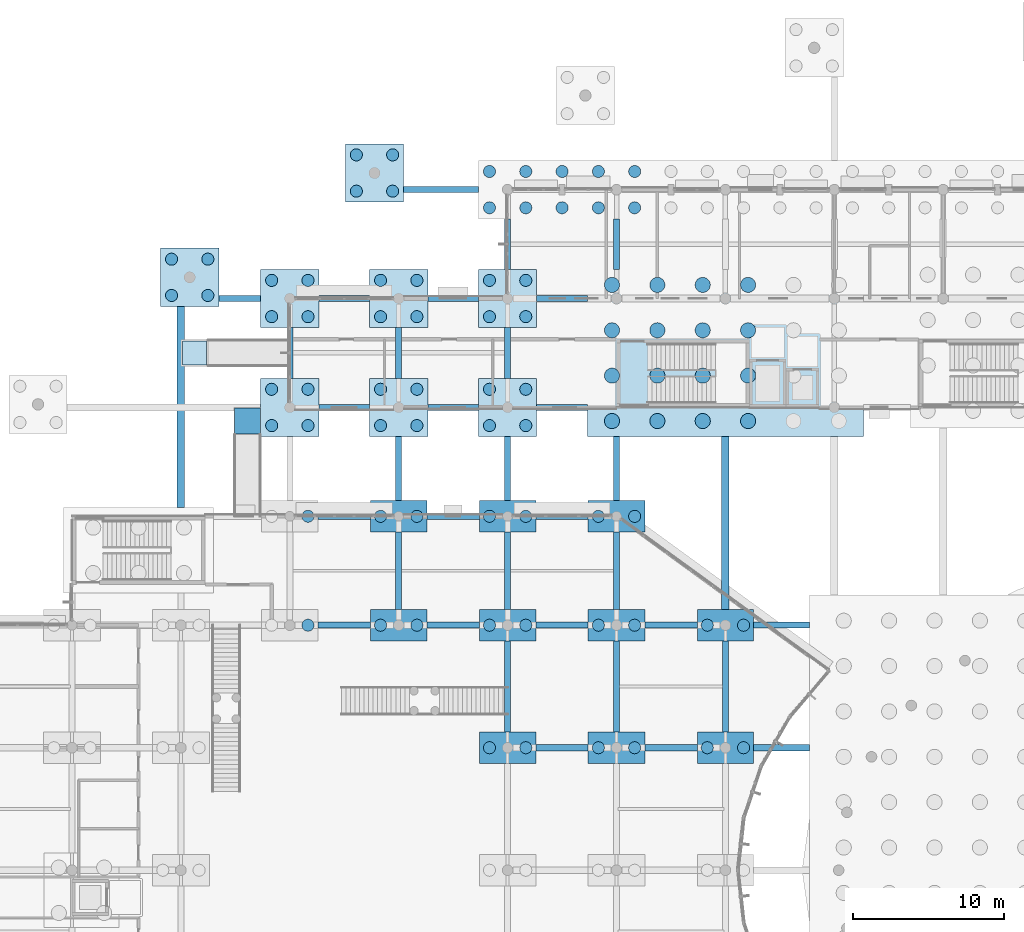
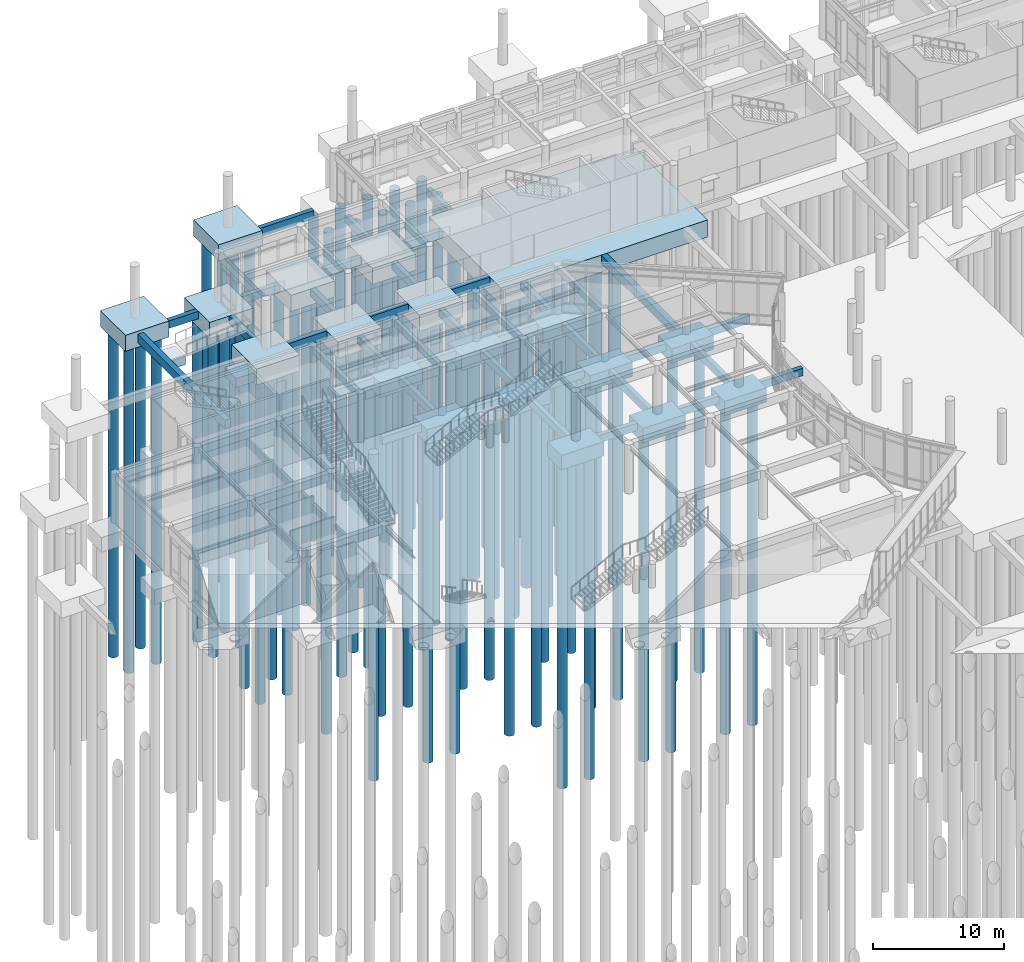
# One storey, part 5 of 103: 80 piles, 56 footings.
"""IFC4 building model written with IfcOpenShell, lengths in metres."""

from ifc_helpers import new_model, si_unit, direction, frame, origin, origin_2d, place, context, subcontext, project, spatial, rectangle, circle, extrude, material, layer, layer_set, material_profile, profile_set, type_object, element, save


model = new_model("IFC4")

# Units and contexts
model_context = context("Model", 3, precision=1e-05, world=origin(), true_north=direction((0.0, 1.0)))
body_context = subcontext(model_context, "Body", "Model", "MODEL_VIEW")
ifc_project = project(units=[si_unit("LENGTHUNIT", "METRE"), si_unit("AREAUNIT", "SQUARE_METRE"), si_unit("VOLUMEUNIT", "CUBIC_METRE"), si_unit("PLANEANGLEUNIT", "RADIAN"), si_unit("MASSUNIT", "GRAM", prefix="KILO")], contexts=[model_context])

# Site, building, storey
site_placement = place(None, origin())
site = spatial("IfcSite", under=ifc_project, at=site_placement, CompositionType="ELEMENT")
building_placement = place(site_placement, origin())
building = spatial("IfcBuilding", under=site, at=building_placement, Name="Namkhue Oval Health Centre", CompositionType="ELEMENT")
storey_placement = place(building_placement, origin())
storey = spatial("IfcBuildingStorey", under=building, at=storey_placement, Name="L00", CompositionType="ELEMENT", Elevation=0.0)

# Footings
ifc_material_1 = material(Name="Reinforced concrete C30/37 (TCVN B35)", Category="concrete")
ifc_layer_1 = layer(ifc_material_1, 1.60009765625)
ifc_layer_set_1 = layer_set([ifc_layer_1], Name="Reinforced concrete C30/37 (TCVN B35)")
footing_type_1 = type_object("IfcFootingType", Name="BORED PILE CAP 18250X11050X1600", PredefinedType="PILE_CAP", material=ifc_layer_set_1)
footing_1_placement = place(storey_placement, frame((64.800048828125, 93.60009765625, -1.860107421875), z_axis=(0.0, 0.0, 1.0), x_axis=(1.0, 0.0, 0.0)))
element("IfcFooting", 1, at=footing_1_placement, inside=storey, type_object=footing_type_1, Name="Reinforced Concrete Pile Cap 109", PredefinedType="PILE_CAP", context=body_context, shape_type="SweptSolid", body=[
    extrude(rectangle(XDim=18.25, YDim=11.050048828125, at=origin_2d()), origin(), (0.0, 0.0, 1.0), 1.60009765625),
])
ifc_layer_2 = layer(ifc_material_1, 1.35009765625)
ifc_layer_set_2 = layer_set([ifc_layer_2], Name="Reinforced concrete C30/37 (TCVN B35)")
footing_type_2 = type_object("IfcFootingType", Name="BORED PILE CAP 3700X2100X1350", PredefinedType="PILE_CAP", material=ifc_layer_set_2)
for number, where, z_axis, x_axis, name in (
    (2, (64.800048828125, 67.5, -1.6201171875), (0.0, 0.0, 1.0), (1.0, 0.0, 0.0), "Reinforced Concrete Pile Cap 79"),
    (3, (64.800048828125, 75.60009765625, -1.6201171875), (0.0, 0.0, 1.0), (1.0, 0.0, 0.0), "Reinforced Concrete Pile Cap 90"),
):
    element("IfcFooting", number, at=place(storey_placement, frame(where, z_axis=z_axis, x_axis=x_axis)), inside=storey, type_object=footing_type_2, Name=name, PredefinedType="PILE_CAP", context=body_context, shape_type="SweptSolid", body=[
        extrude(rectangle(XDim=3.699951171875, YDim=2.10009765625, at=origin_2d()), origin(), (0.0, 0.0, 1.0), 1.35009765625),
    ])
ifc_layer_3 = layer(ifc_material_1, 1.35009765625)
ifc_layer_set_3 = layer_set([ifc_layer_3], Name="Reinforced concrete C30/37 (TCVN B35)")
footing_type_3 = type_object("IfcFootingType", Name="BORED PILE CAP 3750X2100X1350", PredefinedType="PILE_CAP", material=ifc_layer_set_3)
for number, where, z_axis, x_axis, name in (
    (4, (50.39990234375, 67.5, -1.6201171875), (0.0, 0.0, 1.0), (1.0, 0.0, 0.0), "Reinforced Concrete Pile Cap 77"),
    (5, (57.60009765625, 67.5, -1.6201171875), (0.0, 0.0, 1.0), (1.0, 0.0, 0.0), "Reinforced Concrete Pile Cap 78"),
    (6, (43.199951171875, 75.60009765625, -1.6201171875), (0.0, 0.0, 1.0), (1.0, 0.0, 0.0), "Reinforced Concrete Pile Cap 87"),
    (7, (50.39990234375, 75.60009765625, -1.6201171875), (0.0, 0.0, 1.0), (1.0, 0.0, 0.0), "Reinforced Concrete Pile Cap 88"),
    (8, (57.60009765625, 75.60009765625, -1.6201171875), (0.0, 0.0, 1.0), (1.0, 0.0, 0.0), "Reinforced Concrete Pile Cap 89"),
    (9, (43.199951171875, 82.800048828125, -1.6201171875), (0.0, 0.0, 1.0), (1.0, 0.0, 0.0), "Reinforced Concrete Pile Cap 103"),
    (10, (50.39990234375, 82.800048828125, -1.6201171875), (0.0, 0.0, 1.0), (1.0, 0.0, 0.0), "Reinforced Concrete Pile Cap 104"),
    (11, (57.60009765625, 82.800048828125, -1.6201171875), (0.0, 0.0, 1.0), (1.0, 0.0, 0.0), "Reinforced Concrete Pile Cap 105"),
):
    element("IfcFooting", number, at=place(storey_placement, frame(where, z_axis=z_axis, x_axis=x_axis)), inside=storey, type_object=footing_type_3, Name=name, PredefinedType="PILE_CAP", context=body_context, shape_type="SweptSolid", body=[
        extrude(rectangle(XDim=3.75, YDim=2.10009765625, at=origin_2d()), origin(), (0.0, 0.0, 1.0), 1.35009765625),
    ])
ifc_layer_4 = layer(ifc_material_1, 1.5)
ifc_layer_set_4 = layer_set([ifc_layer_4], Name="Reinforced concrete C30/37 (TCVN B35)")
footing_type_4 = type_object("IfcFootingType", Name="BORED PILE CAP 3850X3850X1500", PredefinedType="PILE_CAP", material=ifc_layer_set_4)
for number, where, z_axis, x_axis, name in (
    (12, (36.0, 90.0, -1.760009765625), (0.0, 0.0, 1.0), (1.0, 0.0, 0.0), "Reinforced Concrete Pile Cap 106"),
    (13, (43.199951171875, 90.0, -1.760009765625), (0.0, 0.0, 1.0), (1.0, 0.0, 0.0), "Reinforced Concrete Pile Cap 107"),
    (14, (50.39990234375, 90.0, -1.760009765625), (0.0, 0.0, 1.0), (1.0, 0.0, 0.0), "Reinforced Concrete Pile Cap 108"),
    (15, (36.0, 97.199951171875, -1.760009765625), (0.0, 0.0, 1.0), (1.0, 0.0, 0.0), "Reinforced Concrete Pile Cap 117"),
    (16, (43.199951171875, 97.199951171875, -1.760009765625), (0.0, 0.0, 1.0), (1.0, 0.0, 0.0), "Reinforced Concrete Pile Cap 118"),
    (17, (50.39990234375, 97.199951171875, -1.760009765625), (0.0, 0.0, 1.0), (1.0, 0.0, 0.0), "Reinforced Concrete Pile Cap 119"),
    (18, (29.37890625, 98.60205078125, -1.5), (0.0, 0.0, 1.0), (1.0, 0.0, 0.0), "Reinforced Concrete Pile Cap 122"),
    (19, (41.598876953125, 105.49658203125, -1.5), (0.0, 0.0, 1.0), (1.0, 0.0, 0.0), "Reinforced Concrete Pile Cap 126"),
):
    element("IfcFooting", number, at=place(storey_placement, frame(where, z_axis=z_axis, x_axis=x_axis)), inside=storey, type_object=footing_type_4, Name=name, PredefinedType="PILE_CAP", context=body_context, shape_type="SweptSolid", body=[
        extrude(rectangle(XDim=3.85009765625, YDim=3.85009765625, at=origin_2d()), origin(), (0.0, 0.0, 1.0), 1.5),
    ])
footing_type_5 = type_object("IfcFootingType", Name="FOUNDATION GROUND BEAM 400X700", PredefinedType="FOOTING_BEAM", material=ifc_material_1)
footing_2_placement = place(storey_placement, frame((54.0, 67.5, -0.97021484375), z_axis=(0.0, 0.0, 1.0), x_axis=(1.0, 0.0, 0.0)))
element("IfcFooting", 20, at=footing_2_placement, inside=storey, type_object=footing_type_5, Name="Foundation Ground Tie Beam X-58", PredefinedType="FOOTING_BEAM", context=body_context, shape_type="SweptSolid", body=[
    extrude(rectangle(XDim=3.449951171875, YDim=0.39990234375, at=origin_2d()), origin(), (0.0, 0.0, 1.0), 0.699951171875),
])
footing_3_placement = place(storey_placement, frame((61.21240234375, 67.5, -0.97021484375), z_axis=(0.0, 0.0, 1.0), x_axis=(1.0, 0.0, 0.0)))
element("IfcFooting", 21, at=footing_3_placement, inside=storey, type_object=footing_type_5, Name="Foundation Ground Tie Beam X-59", PredefinedType="FOOTING_BEAM", context=body_context, shape_type="SweptSolid", body=[
    extrude(rectangle(XDim=3.47509765625, YDim=0.39990234375, at=origin_2d()), origin(), (0.0, 0.0, 1.0), 0.699951171875),
])
footing_4_placement = place(storey_placement, frame((68.511962890625, 67.5, -0.97021484375), z_axis=(0.0, 0.0, 1.0), x_axis=(1.0, 0.0, 0.0)))
element("IfcFooting", 22, at=footing_4_placement, inside=storey, type_object=footing_type_5, Name="Foundation Ground Tie Beam X-60", PredefinedType="FOOTING_BEAM", context=body_context, shape_type="SweptSolid", body=[
    extrude(rectangle(XDim=3.723876953125, YDim=0.39990234375, at=origin_2d()), origin(), (0.0, 0.0, 1.0), 0.699951171875),
])
for number, where, z_axis, x_axis, name in (
    (23, (39.60009765625, 75.60009765625, -0.97021484375), (0.0, 0.0, 1.0), (1.0, 0.0, 0.0), "Foundation Ground Tie Beam X-66"),
    (24, (46.800048828125, 75.60009765625, -0.97021484375), (0.0, 0.0, 1.0), (1.0, 0.0, 0.0), "Foundation Ground Tie Beam X-67"),
    (25, (54.0, 75.60009765625, -0.97021484375), (0.0, 0.0, 1.0), (1.0, 0.0, 0.0), "Foundation Ground Tie Beam X-68"),
):
    element("IfcFooting", number, at=place(storey_placement, frame(where, z_axis=z_axis, x_axis=x_axis)), inside=storey, type_object=footing_type_5, Name=name, PredefinedType="FOOTING_BEAM", context=body_context, shape_type="SweptSolid", body=[
        extrude(rectangle(XDim=3.449951171875, YDim=0.39990234375, at=origin_2d()), origin(), (0.0, 0.0, 1.0), 0.699951171875),
    ])
footing_5_placement = place(storey_placement, frame((61.21240234375, 75.60009765625, -0.97021484375), z_axis=(0.0, 0.0, 1.0), x_axis=(1.0, 0.0, 0.0)))
element("IfcFooting", 26, at=footing_5_placement, inside=storey, type_object=footing_type_5, Name="Foundation Ground Tie Beam X-69", PredefinedType="FOOTING_BEAM", context=body_context, shape_type="SweptSolid", body=[
    extrude(rectangle(XDim=3.47509765625, YDim=0.39990234375, at=origin_2d()), origin(), (0.0, 0.0, 1.0), 0.699951171875),
])
footing_6_placement = place(storey_placement, frame((68.511962890625, 75.60009765625, -0.97021484375), z_axis=(0.0, 0.0, 1.0), x_axis=(1.0, 0.0, 0.0)))
element("IfcFooting", 27, at=footing_6_placement, inside=storey, type_object=footing_type_5, Name="Foundation Ground Tie Beam X-70", PredefinedType="FOOTING_BEAM", context=body_context, shape_type="SweptSolid", body=[
    extrude(rectangle(XDim=3.723876953125, YDim=0.39990234375, at=origin_2d()), origin(), (0.0, 0.0, 1.0), 0.699951171875),
])
for number, where, z_axis, x_axis, name in (
    (28, (39.60009765625, 82.800048828125, -0.97021484375), (0.0, 0.0, 1.0), (1.0, 0.0, 0.0), "Foundation Ground Tie Beam X-75"),
    (29, (46.800048828125, 82.800048828125, -0.97021484375), (0.0, 0.0, 1.0), (1.0, 0.0, 0.0), "Foundation Ground Tie Beam X-76"),
    (30, (54.0, 82.800048828125, -0.97021484375), (0.0, 0.0, 1.0), (1.0, 0.0, 0.0), "Foundation Ground Tie Beam X-77"),
):
    element("IfcFooting", number, at=place(storey_placement, frame(where, z_axis=z_axis, x_axis=x_axis)), inside=storey, type_object=footing_type_5, Name=name, PredefinedType="FOOTING_BEAM", context=body_context, shape_type="SweptSolid", body=[
        extrude(rectangle(XDim=3.449951171875, YDim=0.39990234375, at=origin_2d()), origin(), (0.0, 0.0, 1.0), 0.699951171875),
    ])
for number, where, z_axis, x_axis, name in (
    (31, (39.60009765625, 90.0, -0.9599609375), (0.0, 0.0, 1.0), (1.0, 0.0, 0.0), "Foundation Ground Tie Beam X-79"),
    (32, (46.800048828125, 90.0, -0.9599609375), (0.0, 0.0, 1.0), (1.0, 0.0, 0.0), "Foundation Ground Tie Beam X-80"),
    (33, (54.0, 90.0, -0.9599609375), (0.0, 0.0, 1.0), (1.0, 0.0, 0.0), "Foundation Ground Tie Beam X-81"),
):
    element("IfcFooting", number, at=place(storey_placement, frame(where, z_axis=z_axis, x_axis=x_axis)), inside=storey, type_object=footing_type_5, Name=name, PredefinedType="FOOTING_BEAM", context=body_context, shape_type="SweptSolid", body=[
        extrude(rectangle(XDim=3.35009765625, YDim=0.39990234375, at=origin_2d()), origin(), (0.0, 0.0, 1.0), 0.699951171875),
    ])
footing_7_placement = place(storey_placement, frame((32.689453125, 97.199951171875, -0.9599609375), z_axis=(0.0, 0.0, 1.0), x_axis=(1.0, 0.0, 0.0)))
element("IfcFooting", 34, at=footing_7_placement, inside=storey, type_object=footing_type_5, Name="Foundation Ground Tie Beam X-88", PredefinedType="FOOTING_BEAM", context=body_context, shape_type="SweptSolid", body=[
    extrude(rectangle(XDim=2.77099609375, YDim=0.39990234375, at=origin_2d()), origin(), (0.0, 0.0, 1.0), 0.699951171875),
])
for number, where, z_axis, x_axis, name in (
    (35, (39.60009765625, 97.199951171875, -0.9599609375), (0.0, 0.0, 1.0), (1.0, 0.0, 0.0), "Foundation Ground Tie Beam X-89"),
    (36, (46.800048828125, 97.199951171875, -0.9599609375), (0.0, 0.0, 1.0), (1.0, 0.0, 0.0), "Foundation Ground Tie Beam X-90"),
    (37, (54.0, 97.199951171875, -0.9599609375), (0.0, 0.0, 1.0), (1.0, 0.0, 0.0), "Foundation Ground Tie Beam X-91"),
):
    element("IfcFooting", number, at=place(storey_placement, frame(where, z_axis=z_axis, x_axis=x_axis)), inside=storey, type_object=footing_type_5, Name=name, PredefinedType="FOOTING_BEAM", context=body_context, shape_type="SweptSolid", body=[
        extrude(rectangle(XDim=3.35009765625, YDim=0.39990234375, at=origin_2d()), origin(), (0.0, 0.0, 1.0), 0.699951171875),
    ])
footing_8_placement = place(storey_placement, frame((45.99951171875, 104.39990234375, -0.9599609375), z_axis=(0.0, 0.0, 1.0), x_axis=(1.0, 0.0, 0.0)))
element("IfcFooting", 38, at=footing_8_placement, inside=storey, type_object=footing_type_5, Name="Foundation Ground Tie Beam X-98", PredefinedType="FOOTING_BEAM", context=body_context, shape_type="SweptSolid", body=[
    extrude(rectangle(XDim=4.951171875, YDim=0.39990234375, at=origin_2d()), origin(), (0.0, 0.0, 1.0), 0.699951171875),
])
footing_9_placement = place(storey_placement, frame((36.0, 93.60009765625, -0.9599609375), z_axis=(0.0, 0.0, 1.0), x_axis=(0.0, 1.0, 0.0)))
element("IfcFooting", 39, at=footing_9_placement, inside=storey, type_object=footing_type_5, Name="Foundation Ground Tie Beam Y-126", PredefinedType="FOOTING_BEAM", context=body_context, shape_type="SweptSolid", body=[
    extrude(rectangle(XDim=3.35009765625, YDim=0.39990234375, at=origin_2d()), origin(), (0.0, 0.0, 1.0), 0.699951171875),
])
footing_10_placement = place(storey_placement, frame((43.199951171875, 79.199951171875, -0.97021484375), z_axis=(0.0, 0.0, 1.0), x_axis=(0.0, 1.0, 0.0)))
element("IfcFooting", 40, at=footing_10_placement, inside=storey, type_object=footing_type_5, Name="Foundation Ground Tie Beam Y-130", PredefinedType="FOOTING_BEAM", context=body_context, shape_type="SweptSolid", body=[
    extrude(rectangle(XDim=5.10009765625, YDim=0.39990234375, at=origin_2d()), origin(), (0.0, 0.0, 1.0), 0.699951171875),
])
footing_11_placement = place(storey_placement, frame((43.199951171875, 85.96240234375, -0.97021484375), z_axis=(0.0, 0.0, 1.0), x_axis=(0.0, 1.0, 0.0)))
element("IfcFooting", 41, at=footing_11_placement, inside=storey, type_object=footing_type_5, Name="Foundation Ground Tie Beam Y-131", PredefinedType="FOOTING_BEAM", context=body_context, shape_type="SweptSolid", body=[
    extrude(rectangle(XDim=4.22509765625, YDim=0.39990234375, at=origin_2d()), origin(), (0.0, 0.0, 1.0), 0.699951171875),
])
footing_12_placement = place(storey_placement, frame((43.199951171875, 93.60009765625, -0.9599609375), z_axis=(0.0, 0.0, 1.0), x_axis=(0.0, 1.0, 0.0)))
element("IfcFooting", 42, at=footing_12_placement, inside=storey, type_object=footing_type_5, Name="Foundation Ground Tie Beam Y-132", PredefinedType="FOOTING_BEAM", context=body_context, shape_type="SweptSolid", body=[
    extrude(rectangle(XDim=3.35009765625, YDim=0.39990234375, at=origin_2d()), origin(), (0.0, 0.0, 1.0), 0.699951171875),
])
footing_13_placement = place(storey_placement, frame((50.39990234375, 71.550048828125, -0.97021484375), z_axis=(0.0, 0.0, 1.0), x_axis=(0.0, 1.0, 0.0)))
element("IfcFooting", 43, at=footing_13_placement, inside=storey, type_object=footing_type_5, Name="Foundation Ground Tie Beam Y-140", PredefinedType="FOOTING_BEAM", context=body_context, shape_type="SweptSolid", body=[
    extrude(rectangle(XDim=6.0, YDim=0.39990234375, at=origin_2d()), origin(), (0.0, 0.0, 1.0), 0.699951171875),
])
footing_14_placement = place(storey_placement, frame((50.39990234375, 79.199951171875, -0.97021484375), z_axis=(0.0, 0.0, 1.0), x_axis=(0.0, 1.0, 0.0)))
element("IfcFooting", 44, at=footing_14_placement, inside=storey, type_object=footing_type_5, Name="Foundation Ground Tie Beam Y-141", PredefinedType="FOOTING_BEAM", context=body_context, shape_type="SweptSolid", body=[
    extrude(rectangle(XDim=5.10009765625, YDim=0.39990234375, at=origin_2d()), origin(), (0.0, 0.0, 1.0), 0.699951171875),
])
footing_15_placement = place(storey_placement, frame((50.39990234375, 85.96240234375, -0.97021484375), z_axis=(0.0, 0.0, 1.0), x_axis=(0.0, 1.0, 0.0)))
element("IfcFooting", 45, at=footing_15_placement, inside=storey, type_object=footing_type_5, Name="Foundation Ground Tie Beam Y-142", PredefinedType="FOOTING_BEAM", context=body_context, shape_type="SweptSolid", body=[
    extrude(rectangle(XDim=4.22509765625, YDim=0.39990234375, at=origin_2d()), origin(), (0.0, 0.0, 1.0), 0.699951171875),
])
for number, where, z_axis, x_axis, name in (
    (46, (50.39990234375, 93.60009765625, -0.9599609375), (0.0, 0.0, 1.0), (0.0, 1.0, 0.0), "Foundation Ground Tie Beam Y-143"),
    (47, (50.39990234375, 100.800048828125, -0.9599609375), (0.0, 0.0, 1.0), (0.0, 1.0, 0.0), "Foundation Ground Tie Beam Y-144"),
):
    element("IfcFooting", number, at=place(storey_placement, frame(where, z_axis=z_axis, x_axis=x_axis)), inside=storey, type_object=footing_type_5, Name=name, PredefinedType="FOOTING_BEAM", context=body_context, shape_type="SweptSolid", body=[
        extrude(rectangle(XDim=3.35009765625, YDim=0.39990234375, at=origin_2d()), origin(), (0.0, 0.0, 1.0), 0.699951171875),
    ])
footing_16_placement = place(storey_placement, frame((57.60009765625, 71.550048828125, -0.97021484375), z_axis=(0.0, 0.0, 1.0), x_axis=(0.0, 1.0, 0.0)))
element("IfcFooting", 48, at=footing_16_placement, inside=storey, type_object=footing_type_5, Name="Foundation Ground Tie Beam Y-151", PredefinedType="FOOTING_BEAM", context=body_context, shape_type="SweptSolid", body=[
    extrude(rectangle(XDim=6.0, YDim=0.39990234375, at=origin_2d()), origin(), (0.0, 0.0, 1.0), 0.699951171875),
])
footing_17_placement = place(storey_placement, frame((57.60009765625, 79.199951171875, -0.97021484375), z_axis=(0.0, 0.0, 1.0), x_axis=(0.0, 1.0, 0.0)))
element("IfcFooting", 49, at=footing_17_placement, inside=storey, type_object=footing_type_5, Name="Foundation Ground Tie Beam Y-152", PredefinedType="FOOTING_BEAM", context=body_context, shape_type="SweptSolid", body=[
    extrude(rectangle(XDim=5.10009765625, YDim=0.39990234375, at=origin_2d()), origin(), (0.0, 0.0, 1.0), 0.699951171875),
])
footing_18_placement = place(storey_placement, frame((57.60009765625, 85.96240234375, -0.97021484375), z_axis=(0.0, 0.0, 1.0), x_axis=(0.0, 1.0, 0.0)))
element("IfcFooting", 50, at=footing_18_placement, inside=storey, type_object=footing_type_5, Name="Foundation Ground Tie Beam Y-153", PredefinedType="FOOTING_BEAM", context=body_context, shape_type="SweptSolid", body=[
    extrude(rectangle(XDim=4.22509765625, YDim=0.39990234375, at=origin_2d()), origin(), (0.0, 0.0, 1.0), 0.699951171875),
])
footing_19_placement = place(storey_placement, frame((57.60009765625, 100.800048828125, -0.9599609375), z_axis=(0.0, 0.0, 1.0), x_axis=(0.0, 1.0, 0.0)))
element("IfcFooting", 51, at=footing_19_placement, inside=storey, type_object=footing_type_5, Name="Foundation Ground Tie Beam Y-154", PredefinedType="FOOTING_BEAM", context=body_context, shape_type="SweptSolid", body=[
    extrude(rectangle(XDim=3.35009765625, YDim=0.39990234375, at=origin_2d()), origin(), (0.0, 0.0, 1.0), 0.699951171875),
])
footing_20_placement = place(storey_placement, frame((64.800048828125, 71.550048828125, -0.97021484375), z_axis=(0.0, 0.0, 1.0), x_axis=(0.0, 1.0, 0.0)))
element("IfcFooting", 52, at=footing_20_placement, inside=storey, type_object=footing_type_5, Name="Foundation Ground Tie Beam Y-160", PredefinedType="FOOTING_BEAM", context=body_context, shape_type="SweptSolid", body=[
    extrude(rectangle(XDim=6.0, YDim=0.39990234375, at=origin_2d()), origin(), (0.0, 0.0, 1.0), 0.699951171875),
])
footing_type_6 = type_object("IfcFootingType", Name="FOUNDATION GROUND BEAM 500X800", PredefinedType="FOOTING_BEAM", material=ifc_material_1)
footing_21_placement = place(storey_placement, frame((28.800048828125, 90.02587890625, -1.06982421875), z_axis=(0.0, 0.0, 1.0), x_axis=(0.0, 1.0, 0.0)))
element("IfcFooting", 53, at=footing_21_placement, inside=storey, type_object=footing_type_6, Name="Foundation Ground Tie Beam Y-120", PredefinedType="FOOTING_BEAM", context=body_context, shape_type="SweptSolid", body=[
    extrude(rectangle(XDim=13.302001953125, YDim=0.5, at=origin_2d()), origin(), (0.0, 0.0, 1.0), 0.800048828125),
])
footing_22_placement = place(storey_placement, frame((64.800048828125, 82.362548828125, -1.06982421875), z_axis=(0.0, 0.0, 1.0), x_axis=(0.0, 1.0, 0.0)))
element("IfcFooting", 54, at=footing_22_placement, inside=storey, type_object=footing_type_6, Name="Foundation Ground Tie Beam Y-161", PredefinedType="FOOTING_BEAM", context=body_context, shape_type="SweptSolid", body=[
    extrude(rectangle(XDim=11.425048828125, YDim=0.5, at=origin_2d()), origin(), (0.0, 0.0, 1.0), 0.800048828125),
])
ifc_layer_5 = layer(ifc_material_1, 0.85009765625)
ifc_layer_set_5 = layer_set([ifc_layer_5], Name="Reinforced concrete C30/37 (TCVN B35)")
footing_type_7 = type_object("IfcFootingType", Name="GARDEN PAVILION PAD FOOTING 1700X1700X850", PredefinedType="PAD_FOOTING", material=ifc_layer_set_5)
footing_23_placement = place(storey_placement, frame((33.199951171875, 89.10009765625, -1.5), z_axis=(0.0, 0.0, 1.0), x_axis=(0.0, -1.0, 0.0)))
element("IfcFooting", 55, at=footing_23_placement, inside=storey, type_object=footing_type_7, Name="Health Cafe North Forecourt Ramp Foundation Pad", PredefinedType="PAD_FOOTING", context=body_context, shape_type="SweptSolid", body=[
    extrude(rectangle(XDim=1.699951171875, YDim=1.699951171875, at=origin_2d()), origin(), (0.0, 0.0, 1.0), 0.85009765625),
])
ifc_layer_6 = layer(ifc_material_1, 0.800048828125)
ifc_layer_set_6 = layer_set([ifc_layer_6], Name="Reinforced concrete C30/37 (TCVN B35)")
footing_type_8 = type_object("IfcFootingType", Name="RAMP PAD FOOTING 1600X1600X800", PredefinedType="PAD_FOOTING", material=ifc_layer_set_6)
footing_24_placement = place(storey_placement, frame((29.699951171875, 93.60009765625, -1.4501953125), z_axis=(0.0, 0.0, 1.0), x_axis=(1.0, 0.0, 0.0)))
element("IfcFooting", 56, at=footing_24_placement, inside=storey, type_object=footing_type_8, Name="North GP Clinic West Arrival Ramp Foundation Pad", PredefinedType="PAD_FOOTING", context=body_context, shape_type="SweptSolid", body=[
    extrude(rectangle(XDim=1.60009765625, YDim=1.60009765625, at=origin_2d()), origin(), (0.0, 0.0, 1.0), 0.800048828125),
])

# Piles
ifc_material_2 = material(Name="Reinforced concrete C25/30 (TCVN B30)", Category="concrete")
ifc_material_profile_1 = material_profile(ifc_material_2, circle(Radius=0.5, at=origin_2d()), Name="BORED PILE D1000")
ifc_profile_set_1 = profile_set([ifc_material_profile_1], Name="Reinforced concrete C25/30 (TCVN B30)")
pile_type_1 = type_object("IfcPileType", Name="RC BORED PILE D1000", PredefinedType="BORED", material=ifc_profile_set_1)
for number, where, z_axis, x_axis, name in (
    (57, (57.300048828125, 89.10009765625, -1.739990234375), (0.0, 0.0, -1.0), (1.0, 0.0, 0.0), "Bored Pile 109-1.1"),
    (58, (57.300048828125, 92.10009765625, -1.739990234375), (0.0, 0.0, -1.0), (1.0, 0.0, 0.0), "Bored Pile 109-1.2"),
    (59, (57.300048828125, 95.10009765625, -1.739990234375), (0.0, 0.0, -1.0), (1.0, 0.0, 0.0), "Bored Pile 109-1.3"),
    (60, (57.300048828125, 98.10009765625, -1.739990234375), (0.0, 0.0, -1.0), (1.0, 0.0, 0.0), "Bored Pile 109-1.4"),
    (61, (60.300048828125, 89.10009765625, -1.739990234375), (0.0, 0.0, -1.0), (1.0, 0.0, 0.0), "Bored Pile 109-2.1"),
    (62, (60.300048828125, 92.10009765625, -1.739990234375), (0.0, 0.0, -1.0), (1.0, 0.0, 0.0), "Bored Pile 109-2.2"),
    (63, (60.300048828125, 95.10009765625, -1.739990234375), (0.0, 0.0, -1.0), (1.0, 0.0, 0.0), "Bored Pile 109-2.3"),
    (64, (60.300048828125, 98.10009765625, -1.739990234375), (0.0, 0.0, -1.0), (1.0, 0.0, 0.0), "Bored Pile 109-2.4"),
    (65, (63.300048828125, 89.10009765625, -1.739990234375), (0.0, 0.0, -1.0), (1.0, 0.0, 0.0), "Bored Pile 109-3.1"),
    (66, (63.300048828125, 92.10009765625, -1.739990234375), (0.0, 0.0, -1.0), (1.0, 0.0, 0.0), "Bored Pile 109-3.2"),
    (67, (63.300048828125, 95.10009765625, -1.739990234375), (0.0, 0.0, -1.0), (1.0, 0.0, 0.0), "Bored Pile 109-3.3"),
    (68, (63.300048828125, 98.10009765625, -1.739990234375), (0.0, 0.0, -1.0), (1.0, 0.0, 0.0), "Bored Pile 109-3.4"),
    (69, (66.300048828125, 89.10009765625, -1.739990234375), (0.0, 0.0, -1.0), (1.0, 0.0, 0.0), "Bored Pile 109-4.1"),
    (70, (66.300048828125, 92.10009765625, -1.739990234375), (0.0, 0.0, -1.0), (1.0, 0.0, 0.0), "Bored Pile 109-4.2"),
    (71, (66.300048828125, 95.10009765625, -1.739990234375), (0.0, 0.0, -1.0), (1.0, 0.0, 0.0), "Bored Pile 109-4.3"),
    (72, (66.300048828125, 98.10009765625, -1.739990234375), (0.0, 0.0, -1.0), (1.0, 0.0, 0.0), "Bored Pile 109-4.4"),
):
    element("IfcPile", number, at=place(storey_placement, frame(where, z_axis=z_axis, x_axis=x_axis)), inside=storey, type_object=pile_type_1, Name=name, PredefinedType="BORED", context=body_context, shape_type="SweptSolid", body=[
        extrude(circle(Radius=0.5, at=origin_2d()), origin(), (0.0, 0.0, 1.0), 30.260009765625),
    ])
ifc_material_profile_2 = material_profile(ifc_material_2, circle(Radius=0.39990234375, at=origin_2d()), Name="BORED PILE D800")
ifc_profile_set_2 = profile_set([ifc_material_profile_2], Name="Reinforced concrete C25/30 (TCVN B30)")
pile_type_2 = type_object("IfcPileType", Name="RC BORED PILE D800", PredefinedType="BORED", material=ifc_profile_set_2)
for number, where, z_axis, x_axis, name in (
    (73, (49.199951171875, 67.5, -1.5), (0.0, 0.0, -1.0), (1.0, 0.0, 0.0), "Bored Pile 77-1.1"),
    (74, (51.60009765625, 67.5, -1.5), (0.0, 0.0, -1.0), (1.0, 0.0, 0.0), "Bored Pile 77-2.1"),
    (75, (56.39990234375, 67.5, -1.5), (0.0, 0.0, -1.0), (1.0, 0.0, 0.0), "Bored Pile 78-1.1"),
    (76, (58.800048828125, 67.5, -1.5), (0.0, 0.0, -1.0), (1.0, 0.0, 0.0), "Bored Pile 78-2.1"),
    (77, (63.60009765625, 67.5, -1.5), (0.0, 0.0, -1.0), (1.0, 0.0, 0.0), "Bored Pile 79-1.1"),
    (78, (66.0, 67.5, -1.5), (0.0, 0.0, -1.0), (1.0, 0.0, 0.0), "Bored Pile 79-2.1"),
    (79, (37.199951171875, 75.60009765625, -1.5), (0.0, 0.0, -1.0), (1.0, 0.0, 0.0), "Bored Pile 86-2.1"),
    (80, (42.0, 75.60009765625, -1.5), (0.0, 0.0, -1.0), (1.0, 0.0, 0.0), "Bored Pile 87-1.1"),
    (81, (44.39990234375, 75.60009765625, -1.5), (0.0, 0.0, -1.0), (1.0, 0.0, 0.0), "Bored Pile 87-2.1"),
    (82, (49.199951171875, 75.60009765625, -1.5), (0.0, 0.0, -1.0), (1.0, 0.0, 0.0), "Bored Pile 88-1.1"),
    (83, (51.60009765625, 75.60009765625, -1.5), (0.0, 0.0, -1.0), (1.0, 0.0, 0.0), "Bored Pile 88-2.1"),
    (84, (56.39990234375, 75.60009765625, -1.5), (0.0, 0.0, -1.0), (1.0, 0.0, 0.0), "Bored Pile 89-1.1"),
    (85, (58.800048828125, 75.60009765625, -1.5), (0.0, 0.0, -1.0), (1.0, 0.0, 0.0), "Bored Pile 89-2.1"),
    (86, (63.60009765625, 75.60009765625, -1.5), (0.0, 0.0, -1.0), (1.0, 0.0, 0.0), "Bored Pile 90-1.1"),
    (87, (66.0, 75.60009765625, -1.5), (0.0, 0.0, -1.0), (1.0, 0.0, 0.0), "Bored Pile 90-2.1"),
    (88, (37.199951171875, 82.800048828125, -1.5), (0.0, 0.0, -1.0), (1.0, 0.0, 0.0), "Bored Pile 102-2.1"),
    (89, (42.0, 82.800048828125, -1.5), (0.0, 0.0, -1.0), (1.0, 0.0, 0.0), "Bored Pile 103-1.1"),
    (90, (44.39990234375, 82.800048828125, -1.5), (0.0, 0.0, -1.0), (1.0, 0.0, 0.0), "Bored Pile 103-2.1"),
    (91, (49.199951171875, 82.800048828125, -1.5), (0.0, 0.0, -1.0), (1.0, 0.0, 0.0), "Bored Pile 104-1.1"),
    (92, (51.60009765625, 82.800048828125, -1.5), (0.0, 0.0, -1.0), (1.0, 0.0, 0.0), "Bored Pile 104-2.1"),
    (93, (56.39990234375, 82.800048828125, -1.5), (0.0, 0.0, -1.0), (1.0, 0.0, 0.0), "Bored Pile 105-1.1"),
    (94, (58.800048828125, 82.800048828125, -1.5), (0.0, 0.0, -1.0), (1.0, 0.0, 0.0), "Bored Pile 105-2.1"),
):
    element("IfcPile", number, at=place(storey_placement, frame(where, z_axis=z_axis, x_axis=x_axis)), inside=storey, type_object=pile_type_2, Name=name, PredefinedType="BORED", context=body_context, shape_type="SweptSolid", body=[
        extrude(circle(Radius=0.39990234375, at=origin_2d()), origin(), (0.0, 0.0, 1.0), 30.5),
    ])
for number, where, z_axis, x_axis, name in (
    (95, (34.800048828125, 88.800048828125, -1.639892578125), (0.0, 0.0, -1.0), (1.0, 0.0, 0.0), "Bored Pile 106-1.1"),
    (96, (34.800048828125, 91.199951171875, -1.639892578125), (0.0, 0.0, -1.0), (1.0, 0.0, 0.0), "Bored Pile 106-1.2"),
    (97, (37.199951171875, 88.800048828125, -1.639892578125), (0.0, 0.0, -1.0), (1.0, 0.0, 0.0), "Bored Pile 106-2.1"),
    (98, (37.199951171875, 91.199951171875, -1.639892578125), (0.0, 0.0, -1.0), (1.0, 0.0, 0.0), "Bored Pile 106-2.2"),
    (99, (42.0, 88.800048828125, -1.639892578125), (0.0, 0.0, -1.0), (1.0, 0.0, 0.0), "Bored Pile 107-1.1"),
    (100, (42.0, 91.199951171875, -1.639892578125), (0.0, 0.0, -1.0), (1.0, 0.0, 0.0), "Bored Pile 107-1.2"),
    (101, (44.39990234375, 88.800048828125, -1.639892578125), (0.0, 0.0, -1.0), (1.0, 0.0, 0.0), "Bored Pile 107-2.1"),
    (102, (44.39990234375, 91.199951171875, -1.639892578125), (0.0, 0.0, -1.0), (1.0, 0.0, 0.0), "Bored Pile 107-2.2"),
    (103, (49.199951171875, 88.800048828125, -1.639892578125), (0.0, 0.0, -1.0), (1.0, 0.0, 0.0), "Bored Pile 108-1.1"),
    (104, (49.199951171875, 91.199951171875, -1.639892578125), (0.0, 0.0, -1.0), (1.0, 0.0, 0.0), "Bored Pile 108-1.2"),
    (105, (51.60009765625, 88.800048828125, -1.639892578125), (0.0, 0.0, -1.0), (1.0, 0.0, 0.0), "Bored Pile 108-2.1"),
    (106, (51.60009765625, 91.199951171875, -1.639892578125), (0.0, 0.0, -1.0), (1.0, 0.0, 0.0), "Bored Pile 108-2.2"),
    (107, (34.800048828125, 96.0, -1.639892578125), (0.0, 0.0, -1.0), (1.0, 0.0, 0.0), "Bored Pile 117-1.1"),
    (108, (34.800048828125, 98.39990234375, -1.639892578125), (0.0, 0.0, -1.0), (1.0, 0.0, 0.0), "Bored Pile 117-1.2"),
    (109, (37.199951171875, 96.0, -1.639892578125), (0.0, 0.0, -1.0), (1.0, 0.0, 0.0), "Bored Pile 117-2.1"),
    (110, (37.199951171875, 98.39990234375, -1.639892578125), (0.0, 0.0, -1.0), (1.0, 0.0, 0.0), "Bored Pile 117-2.2"),
    (111, (42.0, 96.0, -1.639892578125), (0.0, 0.0, -1.0), (1.0, 0.0, 0.0), "Bored Pile 118-1.1"),
    (112, (42.0, 98.39990234375, -1.639892578125), (0.0, 0.0, -1.0), (1.0, 0.0, 0.0), "Bored Pile 118-1.2"),
    (113, (44.39990234375, 96.0, -1.639892578125), (0.0, 0.0, -1.0), (1.0, 0.0, 0.0), "Bored Pile 118-2.1"),
    (114, (44.39990234375, 98.39990234375, -1.639892578125), (0.0, 0.0, -1.0), (1.0, 0.0, 0.0), "Bored Pile 118-2.2"),
    (115, (49.199951171875, 96.0, -1.639892578125), (0.0, 0.0, -1.0), (1.0, 0.0, 0.0), "Bored Pile 119-1.1"),
    (116, (49.199951171875, 98.39990234375, -1.639892578125), (0.0, 0.0, -1.0), (1.0, 0.0, 0.0), "Bored Pile 119-1.2"),
    (117, (51.60009765625, 96.0, -1.639892578125), (0.0, 0.0, -1.0), (1.0, 0.0, 0.0), "Bored Pile 119-2.1"),
    (118, (51.60009765625, 98.39990234375, -1.639892578125), (0.0, 0.0, -1.0), (1.0, 0.0, 0.0), "Bored Pile 119-2.2"),
):
    element("IfcPile", number, at=place(storey_placement, frame(where, z_axis=z_axis, x_axis=x_axis)), inside=storey, type_object=pile_type_2, Name=name, PredefinedType="BORED", context=body_context, shape_type="SweptSolid", body=[
        extrude(circle(Radius=0.39990234375, at=origin_2d()), origin(), (0.0, 0.0, 1.0), 30.360107421875),
    ])
for number, where, z_axis, x_axis, name in (
    (119, (28.178955078125, 97.402099609375, -1.3798828125), (0.0, 0.0, -1.0), (1.0, 0.0, 0.0), "Bored Pile 122-1.1"),
    (120, (28.178955078125, 99.802001953125, -1.3798828125), (0.0, 0.0, -1.0), (1.0, 0.0, 0.0), "Bored Pile 122-1.2"),
    (121, (30.578857421875, 97.402099609375, -1.3798828125), (0.0, 0.0, -1.0), (1.0, 0.0, 0.0), "Bored Pile 122-2.1"),
    (122, (30.578857421875, 99.802001953125, -1.3798828125), (0.0, 0.0, -1.0), (1.0, 0.0, 0.0), "Bored Pile 122-2.2"),
):
    element("IfcPile", number, at=place(storey_placement, frame(where, z_axis=z_axis, x_axis=x_axis)), inside=storey, type_object=pile_type_2, Name=name, PredefinedType="BORED", context=body_context, shape_type="SweptSolid", body=[
        extrude(circle(Radius=0.39990234375, at=origin_2d()), origin(), (0.0, 0.0, 1.0), 30.6201171875),
    ])
for number, where, z_axis, x_axis, name in (
    (123, (49.199951171875, 103.199951171875, -1.739990234375), (0.0, 0.0, -1.0), (1.0, 0.0, 0.0), "Bored Pile 124-1.1"),
    (124, (49.199951171875, 105.60009765625, -1.739990234375), (0.0, 0.0, -1.0), (1.0, 0.0, 0.0), "Bored Pile 124-1.2"),
    (125, (51.60009765625, 103.199951171875, -1.739990234375), (0.0, 0.0, -1.0), (1.0, 0.0, 0.0), "Bored Pile 124-2.1"),
    (126, (51.60009765625, 105.60009765625, -1.739990234375), (0.0, 0.0, -1.0), (1.0, 0.0, 0.0), "Bored Pile 124-2.2"),
    (127, (54.0, 103.199951171875, -1.739990234375), (0.0, 0.0, -1.0), (1.0, 0.0, 0.0), "Bored Pile 124-3.1"),
    (128, (54.0, 105.60009765625, -1.739990234375), (0.0, 0.0, -1.0), (1.0, 0.0, 0.0), "Bored Pile 124-3.2"),
    (129, (56.39990234375, 103.199951171875, -1.739990234375), (0.0, 0.0, -1.0), (1.0, 0.0, 0.0), "Bored Pile 124-4.1"),
    (130, (56.39990234375, 105.60009765625, -1.739990234375), (0.0, 0.0, -1.0), (1.0, 0.0, 0.0), "Bored Pile 124-4.2"),
    (131, (58.800048828125, 103.199951171875, -1.739990234375), (0.0, 0.0, -1.0), (1.0, 0.0, 0.0), "Bored Pile 124-5.1"),
    (132, (58.800048828125, 105.60009765625, -1.739990234375), (0.0, 0.0, -1.0), (1.0, 0.0, 0.0), "Bored Pile 124-5.2"),
):
    element("IfcPile", number, at=place(storey_placement, frame(where, z_axis=z_axis, x_axis=x_axis)), inside=storey, type_object=pile_type_2, Name=name, PredefinedType="BORED", context=body_context, shape_type="SweptSolid", body=[
        extrude(circle(Radius=0.39990234375, at=origin_2d()), origin(), (0.0, 0.0, 1.0), 30.260009765625),
    ])
for number, where, z_axis, x_axis, name in (
    (133, (40.398681640625, 104.296630859375, -1.3798828125), (0.0, 0.0, -1.0), (1.0, 0.0, 0.0), "Bored Pile 126-1.1"),
    (134, (40.398681640625, 106.69677734375, -1.3798828125), (0.0, 0.0, -1.0), (1.0, 0.0, 0.0), "Bored Pile 126-1.2"),
    (135, (42.798828125, 104.296630859375, -1.3798828125), (0.0, 0.0, -1.0), (1.0, 0.0, 0.0), "Bored Pile 126-2.1"),
    (136, (42.798828125, 106.69677734375, -1.3798828125), (0.0, 0.0, -1.0), (1.0, 0.0, 0.0), "Bored Pile 126-2.2"),
):
    element("IfcPile", number, at=place(storey_placement, frame(where, z_axis=z_axis, x_axis=x_axis)), inside=storey, type_object=pile_type_2, Name=name, PredefinedType="BORED", context=body_context, shape_type="SweptSolid", body=[
        extrude(circle(Radius=0.39990234375, at=origin_2d()), origin(), (0.0, 0.0, 1.0), 30.6201171875),
    ])

save(model, "model.ifc")
